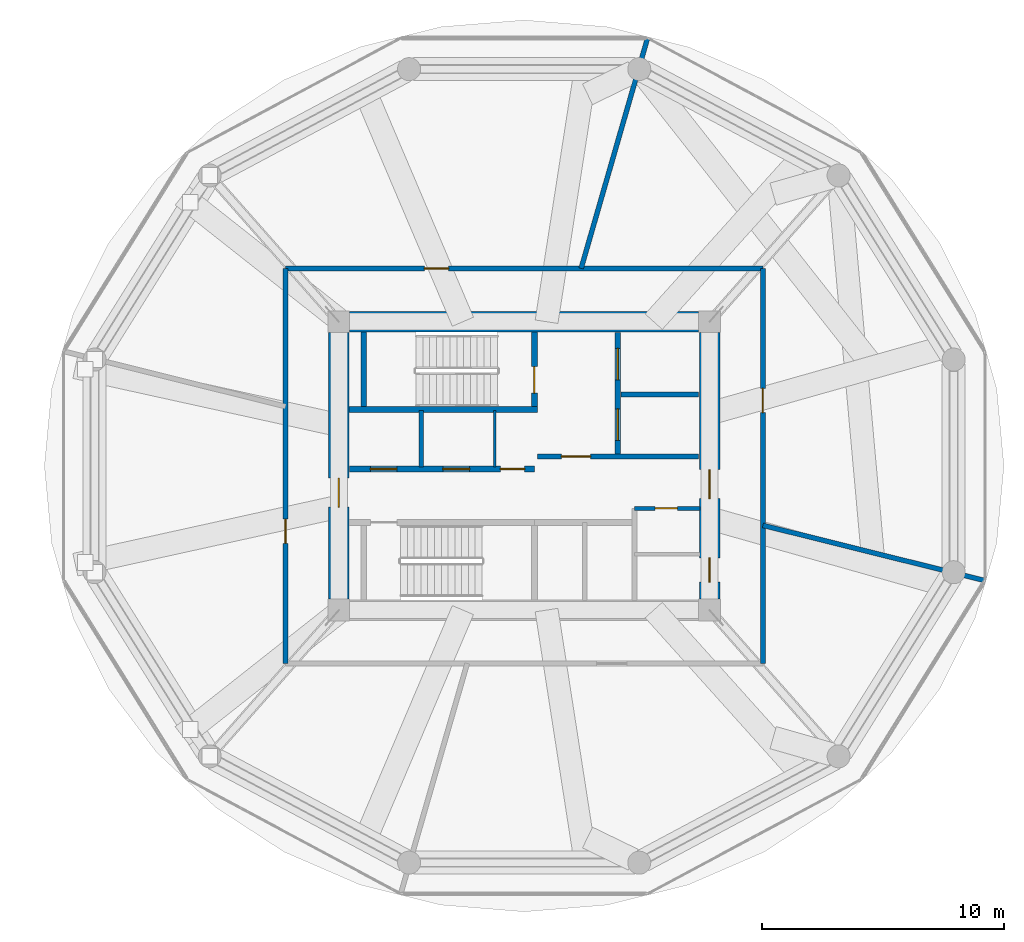
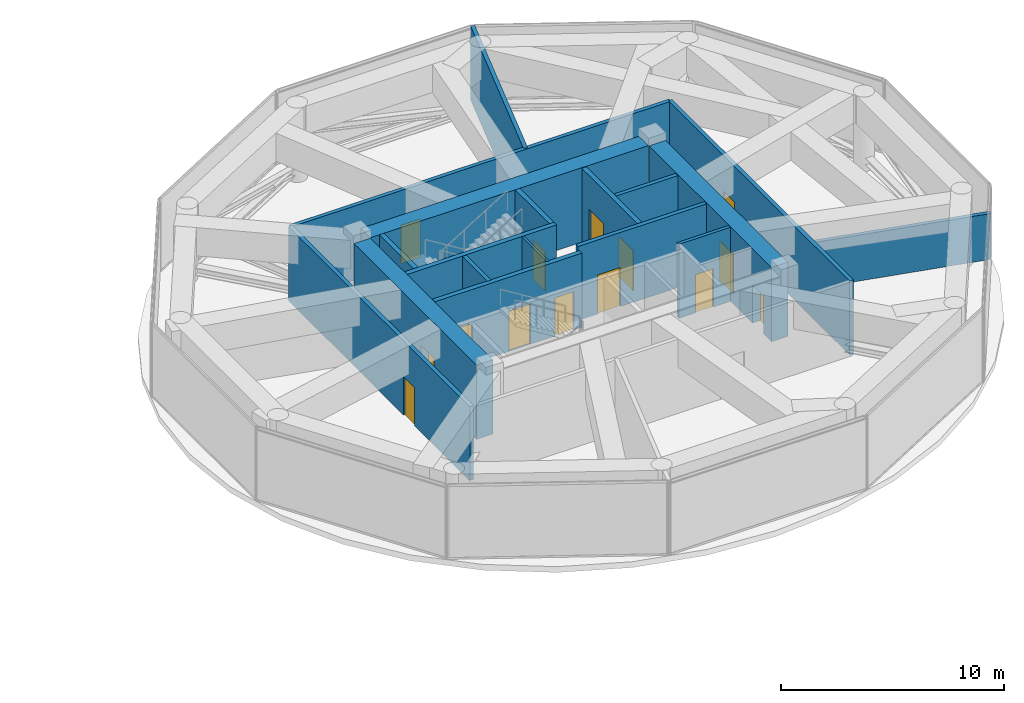
# One storey, part 18 of 22: 18 walls, 14 doors, 14 openings.
"""IFC4 building model written with IfcOpenShell, lengths in metres."""

from ifc_helpers import new_model, si_unit, direction, frame, frame_2d, origin, place, context, subcontext, project, spatial, rectangle, extrude, source, transform, mapped, material, layer, layer_set, type_object, type_shapes, element, fill, save


model = new_model("IFC4")

# Units and contexts
model_context = context("Model", 3, precision=1e-05, world=origin(), true_north=direction((0.0, 1.0)))
body_context = subcontext(model_context, "Body", "Model", "MODEL_VIEW")
ifc_project = project(units=[si_unit("LENGTHUNIT", "METRE"), si_unit("AREAUNIT", "SQUARE_METRE"), si_unit("VOLUMEUNIT", "CUBIC_METRE"), si_unit("PLANEANGLEUNIT", "RADIAN"), si_unit("MASSUNIT", "GRAM", prefix="KILO")], contexts=[model_context])

# Site, building, storey
site_placement = place(None, origin())
site = spatial("IfcSite", under=ifc_project, at=site_placement, CompositionType="ELEMENT")
building_placement = place(site_placement, origin())
building = spatial("IfcBuilding", under=site, at=building_placement, Name="Norrkilde Senior Care Towers", CompositionType="ELEMENT")
storey_placement = place(building_placement, frame((0.0, 0.0, 73.449951171875)))
storey = spatial("IfcBuildingStorey", under=building, at=storey_placement, Name="L22", CompositionType="ELEMENT", Elevation=73.449951171875)

# Wall
ifc_material_1 = material(Name="Concrete C60/75", Category="concrete")
ifc_layer_1 = layer(ifc_material_1, 0.85009765625)
ifc_layer_set_1 = layer_set([ifc_layer_1], Name="Concrete C60/75")
wall_type_1 = type_object("IfcWallType", Name="Core Shear Wall Z1 850", PredefinedType="SHEAR", material=ifc_layer_set_1)
shared_shape_1 = source(origin(), body_context, "Body", "SweptSolid", [
    extrude(rectangle(XDim=14.39990234375, YDim=0.85009765625, at=frame_2d((7.199951171875, 0.0))), origin(), (0.0, 0.0, 1.0), 4.080078125),
])
wall_1_placement = place(storey_placement, frame((20.800048828125, 5.949951171875, 0.0), z_axis=(0.0, 0.0, 1.0), x_axis=(1.0, 0.0, 0.0)))
element("IfcWall", 1, at=wall_1_placement, inside=storey, type_object=wall_type_1, Name="L22 Core E North Shear Wall", PredefinedType="SHEAR", context=body_context, shape_type="MappedRepresentation", body=[
    mapped(shared_shape_1, transform((0.0, 0.0, 0.0), x_axis=(1.0, 0.0, 0.0), y_axis=(0.0, 1.0, 0.0), z_axis=(0.0, 0.0, 1.0), scale=1.0)),
])

# Wall, opening, door
shared_shape_2 = source(origin(), body_context, "Body", "SweptSolid", [
    extrude(rectangle(XDim=11.0, YDim=0.85009765625, at=frame_2d((5.5, 0.0))), origin(), (0.0, 0.0, 1.0), 4.080078125),
])
type_shapes(wall_type_1, [shared_shape_1, shared_shape_2])
wall_2_placement = place(storey_placement, frame((20.35009765625, -5.5, 0.0), z_axis=(0.0, 0.0, 1.0), x_axis=(0.0, 1.0, 0.0)))
wall_2 = element("IfcWall", 2, at=wall_2_placement, inside=storey, type_object=wall_type_1, Name="L22 Core E West Shear Wall", PredefinedType="SHEAR", context=body_context, shape_type="MappedRepresentation", body=[
    mapped(shared_shape_2, transform((0.0, 0.0, 0.0), x_axis=(1.0, 0.0, 0.0), y_axis=(0.0, 1.0, 0.0), z_axis=(0.0, 0.0, 1.0), scale=1.0)),
])
opening_1_placement = place(wall_2_placement, frame((3.800048828125, 0.0, 0.0)))
opening_1 = element("IfcOpeningElement", 3, at=opening_1_placement, cuts=wall_2, Name="Opening D-04", PredefinedType="OPENING", context=body_context, shape_type="SweptSolid", body=[
    extrude(rectangle(XDim=1.199951171875, YDim=2.14990234375, at=frame_2d((0.60009765625, 1.074951171875))), frame((0.0, 0.43505859375, 0.0), z_axis=(0.0, -1.0, 0.0), x_axis=(1.0, 0.0, 0.0)), (0.0, 0.0, 1.0), 0.8701171875),
])
ifc_material_2 = material(Name="Galvanised Painted Steel", Category="steel")
door_type_1 = type_object("IfcDoorType", Name="Firefighting Lobby Fire Door 1200x2150", OperationType="NOTDEFINED", PredefinedType="DOOR", material=ifc_material_2)
shared_shape_3 = source(origin(), body_context, "Body", "SweptSolid", [
    extrude(rectangle(XDim=1.199951171875, YDim=2.14990234375, at=frame_2d((0.60009765625, 1.074951171875))), frame((0.0, 0.02490234375, 0.0), z_axis=(0.0, -1.0, 0.0), x_axis=(1.0, 0.0, 0.0)), (0.0, 0.0, 1.0), 0.050048828125),
])
type_shapes(door_type_1, [shared_shape_3])
door_1_placement = place(opening_1_placement, frame((1.199951171875, 0.0, 0.0), z_axis=(0.0, 0.0, 1.0), x_axis=(-1.0, 0.0, 0.0)))
door_1 = element("IfcDoor", 4, at=door_1_placement, inside=storey, type_object=door_type_1, Name="L22 Core E West Portal Door", OperationType="SINGLE_SWING_LEFT", OverallHeight=2.14990234375, OverallWidth=1.199951171875, PredefinedType="DOOR", context=body_context, shape_type="MappedRepresentation", body=[
    mapped(shared_shape_3, transform((0.0, 0.0, 0.0), x_axis=(1.0, 0.0, 0.0), y_axis=(0.0, 1.0, 0.0), z_axis=(0.0, 0.0, 1.0), scale=1.0)),
])
fill(opening_1, door_1)

# Wall, openings, doors
wall_3_placement = place(storey_placement, frame((35.64990234375, 5.5, 0.0), z_axis=(0.0, 0.0, 1.0), x_axis=(0.0, -1.0, 0.0)))
wall_3 = element("IfcWall", 5, at=wall_3_placement, inside=storey, type_object=wall_type_1, Name="L22 Core E East Shear Wall", PredefinedType="SHEAR", context=body_context, shape_type="MappedRepresentation", body=[
    mapped(shared_shape_2, transform((0.0, 0.0, 0.0), x_axis=(1.0, 0.0, 0.0), y_axis=(0.0, 1.0, 0.0), z_axis=(0.0, 0.0, 1.0), scale=1.0)),
])
opening_2_placement = place(wall_3_placement, frame((5.64990234375, 0.0, 0.0)))
opening_2 = element("IfcOpeningElement", 6, at=opening_2_placement, cuts=wall_3, Name="Opening D-04", PredefinedType="OPENING", context=body_context, shape_type="SweptSolid", body=[
    extrude(rectangle(XDim=1.199951171875, YDim=2.14990234375, at=frame_2d((0.60009765625, 1.074951171875))), frame((0.0, 0.43505859375, 0.0), z_axis=(0.0, -1.0, 0.0), x_axis=(1.0, 0.0, 0.0)), (0.0, 0.0, 1.0), 0.8701171875),
])
opening_3_placement = place(wall_3_placement, frame((9.300048828125, 0.0, 0.0)))
opening_3 = element("IfcOpeningElement", 7, at=opening_3_placement, cuts=wall_3, Name="Opening D-10", PredefinedType="OPENING", context=body_context, shape_type="SweptSolid", body=[
    extrude(rectangle(XDim=1.0, YDim=2.10009765625, at=frame_2d((0.5, 1.050048828125))), frame((0.0, 0.43505859375, 0.0), z_axis=(0.0, -1.0, 0.0), x_axis=(1.0, 0.0, 0.0)), (0.0, 0.0, 1.0), 0.8701171875),
])
door_2_placement = place(opening_2_placement, frame((1.199951171875, 0.0, 0.0), z_axis=(0.0, 0.0, 1.0), x_axis=(-1.0, 0.0, 0.0)))
door_2 = element("IfcDoor", 8, at=door_2_placement, inside=storey, type_object=door_type_1, Name="L22 Core E East Portal Door", OperationType="SINGLE_SWING_RIGHT", OverallHeight=2.14990234375, OverallWidth=1.199951171875, PredefinedType="DOOR", context=body_context, shape_type="MappedRepresentation", body=[
    mapped(shared_shape_3, transform((0.0, 0.0, 0.0), x_axis=(1.0, 0.0, 0.0), y_axis=(0.0, 1.0, 0.0), z_axis=(0.0, 0.0, 1.0), scale=1.0)),
])
fill(opening_2, door_2)
door_type_2 = type_object("IfcDoorType", Name="Plant and Riser Rated Door 1000x2100", OperationType="NOTDEFINED", PredefinedType="DOOR", material=ifc_material_2)
shared_shape_4 = source(origin(), body_context, "Body", "SweptSolid", [
    extrude(rectangle(XDim=1.0, YDim=2.10009765625, at=frame_2d((0.5, 1.050048828125))), frame((0.0, 0.02490234375, 0.0), z_axis=(0.0, -1.0, 0.0), x_axis=(1.0, 0.0, 0.0)), (0.0, 0.0, 1.0), 0.050048828125),
])
type_shapes(door_type_2, [shared_shape_4])
door_3_placement = place(opening_3_placement, frame((1.0, 0.0, 0.0), z_axis=(0.0, 0.0, 1.0), x_axis=(-1.0, 0.0, 0.0)))
door_3 = element("IfcDoor", 9, at=door_3_placement, inside=storey, type_object=door_type_2, Name="L22 Ventilation Riser E Door", OperationType="SINGLE_SWING_RIGHT", OverallHeight=2.10009765625, OverallWidth=1.0, PredefinedType="DOOR", context=body_context, shape_type="MappedRepresentation", body=[
    mapped(shared_shape_4, transform((0.0, 0.0, 0.0), x_axis=(1.0, 0.0, 0.0), y_axis=(0.0, 1.0, 0.0), z_axis=(0.0, 0.0, 1.0), scale=1.0)),
])
fill(opening_3, door_3)

# Walls
ifc_material_3 = material(Name="Concrete C45/55", Category="concrete")
ifc_layer_2 = layer(ifc_material_3, 0.239990234375)
ifc_layer_set_2 = layer_set([ifc_layer_2], Name="Concrete C45/55")
wall_type_2 = type_object("IfcWallType", Name="Shaft and Stair Enclosure Wall 240", PredefinedType="PARTITIONING", material=ifc_layer_set_2)
shared_shape_5 = source(origin(), body_context, "Body", "SweptSolid", [
    extrude(rectangle(XDim=7.76513671875, YDim=0.239990234375, at=frame_2d((3.882568359375, 0.0))), origin(), (0.0, 0.0, 1.0), 4.080078125),
])
wall_4_placement = place(storey_placement, frame((20.77490234375, 2.330078125, 0.0), z_axis=(0.0, 0.0, 1.0), x_axis=(1.0, 0.0, 0.0)))
element("IfcWall", 10, at=wall_4_placement, inside=storey, type_object=wall_type_2, Name="WL-INT-L22-E-ST1S", PredefinedType="PARTITIONING", context=body_context, shape_type="MappedRepresentation", body=[
    mapped(shared_shape_5, transform((0.0, 0.0, 0.0), x_axis=(1.0, 0.0, 0.0), y_axis=(0.0, 1.0, 0.0), z_axis=(0.0, 0.0, 1.0), scale=1.0)),
])
shared_shape_6 = source(origin(), body_context, "Body", "SweptSolid", [
    extrude(rectangle(XDim=3.074951171875, YDim=0.239990234375, at=frame_2d((1.53759765625, 0.0))), origin(), (0.0, 0.0, 1.0), 4.080078125),
])
type_shapes(wall_type_2, [shared_shape_5, shared_shape_6])
wall_5_placement = place(storey_placement, frame((21.3798828125, 2.449951171875, 0.0), z_axis=(0.0, 0.0, 1.0), x_axis=(0.0, 1.0, 0.0)))
element("IfcWall", 11, at=wall_5_placement, inside=storey, type_object=wall_type_2, Name="WL-INT-L22-E-ST1W", PredefinedType="PARTITIONING", context=body_context, shape_type="MappedRepresentation", body=[
    mapped(shared_shape_6, transform((0.0, 0.0, 0.0), x_axis=(1.0, 0.0, 0.0), y_axis=(0.0, 1.0, 0.0), z_axis=(0.0, 0.0, 1.0), scale=1.0)),
])

# Wall, opening, door
wall_6_placement = place(storey_placement, frame((28.419921875, 2.449951171875, 0.0), z_axis=(0.0, 0.0, 1.0), x_axis=(0.0, 1.0, 0.0)))
wall_6 = element("IfcWall", 12, at=wall_6_placement, inside=storey, type_object=wall_type_2, Name="WL-INT-L22-E-ST1E", PredefinedType="PARTITIONING", context=body_context, shape_type="MappedRepresentation", body=[
    mapped(shared_shape_6, transform((0.0, 0.0, 0.0), x_axis=(1.0, 0.0, 0.0), y_axis=(0.0, 1.0, 0.0), z_axis=(0.0, 0.0, 1.0), scale=1.0)),
])
opening_4_placement = place(wall_6_placement, frame((0.550048828125, 0.0, 0.0)))
opening_4 = element("IfcOpeningElement", 13, at=opening_4_placement, cuts=wall_6, Name="Opening D-03", PredefinedType="OPENING", context=body_context, shape_type="SweptSolid", body=[
    extrude(rectangle(XDim=1.10009765625, YDim=2.14990234375, at=frame_2d((0.550048828125, 1.074951171875))), frame((0.0, 0.1298828125, 0.0), z_axis=(0.0, -1.0, 0.0), x_axis=(1.0, 0.0, 0.0)), (0.0, 0.0, 1.0), 0.260009765625),
])
door_type_3 = type_object("IfcDoorType", Name="Stairwell Protected Fire Door 1100x2150", OperationType="NOTDEFINED", PredefinedType="DOOR", material=ifc_material_2)
shared_shape_7 = source(origin(), body_context, "Body", "SweptSolid", [
    extrude(rectangle(XDim=1.10009765625, YDim=2.14990234375, at=frame_2d((0.550048828125, 1.074951171875))), frame((0.0, 0.02490234375, 0.0), z_axis=(0.0, -1.0, 0.0), x_axis=(1.0, 0.0, 0.0)), (0.0, 0.0, 1.0), 0.050048828125),
])
type_shapes(door_type_3, [shared_shape_7])
door_4_placement = place(opening_4_placement, origin())
door_4 = element("IfcDoor", 14, at=door_4_placement, inside=storey, type_object=door_type_3, Name="L22 Stair E1 Fire Door", OperationType="SINGLE_SWING_LEFT", OverallHeight=2.14990234375, OverallWidth=1.10009765625, PredefinedType="DOOR", context=body_context, shape_type="MappedRepresentation", body=[
    mapped(shared_shape_7, transform((0.0, 0.0, 0.0), x_axis=(1.0, 0.0, 0.0), y_axis=(0.0, 1.0, 0.0), z_axis=(0.0, 0.0, 1.0), scale=1.0)),
])
fill(opening_4, door_4)

# Wall, openings, doors
ifc_layer_3 = layer(ifc_material_3, 0.239990234375)
ifc_layer_set_3 = layer_set([ifc_layer_3], Name="Concrete C45/55")
wall_type_3 = type_object("IfcWallType", Name="Lift and Plant Rated Enclosure Partition 240", PredefinedType="PARTITIONING", material=ifc_layer_set_3)
shared_shape_8 = source(origin(), body_context, "Body", "SweptSolid", [
    extrude(rectangle(XDim=5.0, YDim=0.239990234375, at=frame_2d((2.5, 0.0))), origin(), (0.0, 0.0, 1.0), 4.06494140625),
])
wall_7_placement = place(storey_placement, frame((31.860107421875, 0.5, 0.0), z_axis=(0.0, 0.0, 1.0), x_axis=(0.0, 1.0, 0.0)))
wall_7 = element("IfcWall", 15, at=wall_7_placement, inside=storey, type_object=wall_type_3, Name="WL-INT-L22-E-FFLE", PredefinedType="PARTITIONING", context=body_context, shape_type="MappedRepresentation", body=[
    mapped(shared_shape_8, transform((0.0, 0.0, 0.0), x_axis=(1.0, 0.0, 0.0), y_axis=(0.0, 1.0, 0.0), z_axis=(0.0, 0.0, 1.0), scale=1.0)),
])
opening_5_placement = place(wall_7_placement, frame((3.050048828125, 0.0, 0.0)))
opening_5 = element("IfcOpeningElement", 16, at=opening_5_placement, cuts=wall_7, Name="Opening LD-02", PredefinedType="OPENING", context=body_context, shape_type="SweptSolid", body=[
    extrude(rectangle(XDim=1.300048828125, YDim=2.199951171875, at=frame_2d((0.64990234375, 1.10009765625))), frame((0.0, 0.1298828125, 0.0), z_axis=(0.0, -1.0, 0.0), x_axis=(1.0, 0.0, 0.0)), (0.0, 0.0, 1.0), 0.260009765625),
])
opening_6_placement = place(wall_7_placement, frame((0.550048828125, 0.0, 0.0)))
opening_6 = element("IfcOpeningElement", 17, at=opening_6_placement, cuts=wall_7, Name="Opening LD-02", PredefinedType="OPENING", context=body_context, shape_type="SweptSolid", body=[
    extrude(rectangle(XDim=1.300048828125, YDim=2.199951171875, at=frame_2d((0.64990234375, 1.10009765625))), frame((0.0, 0.1298828125, 0.0), z_axis=(0.0, -1.0, 0.0), x_axis=(1.0, 0.0, 0.0)), (0.0, 0.0, 1.0), 0.260009765625),
])
ifc_material_4 = material(Name="Stainless Steel", Category="steel")
door_type_4 = type_object("IfcDoorType", Name="Stretcher and FFL Landing Sliding Door 1300x2200", OperationType="NOTDEFINED", PredefinedType="DOOR", material=ifc_material_4)
shared_shape_9 = source(origin(), body_context, "Body", "SweptSolid", [
    extrude(rectangle(XDim=1.300048828125, YDim=2.199951171875, at=frame_2d((0.64990234375, 1.10009765625))), frame((0.0, 0.02490234375, 0.0), z_axis=(0.0, -1.0, 0.0), x_axis=(1.0, 0.0, 0.0)), (0.0, 0.0, 1.0), 0.050048828125),
])
type_shapes(door_type_4, [shared_shape_9])
door_5_placement = place(opening_5_placement, origin())
door_5 = element("IfcDoor", 18, at=door_5_placement, inside=storey, type_object=door_type_4, Name="L22 Firefighting Lift E1 Landing Door", OperationType="SLIDING_TO_LEFT", OverallHeight=2.199951171875, OverallWidth=1.300048828125, PredefinedType="DOOR", context=body_context, shape_type="MappedRepresentation", body=[
    mapped(shared_shape_9, transform((0.0, 0.0, 0.0), x_axis=(1.0, 0.0, 0.0), y_axis=(0.0, 1.0, 0.0), z_axis=(0.0, 0.0, 1.0), scale=1.0)),
])
fill(opening_5, door_5)
door_6_placement = place(opening_6_placement, origin())
door_6 = element("IfcDoor", 19, at=door_6_placement, inside=storey, type_object=door_type_4, Name="L22 Stretcher Lift E1 Landing Door", OperationType="SLIDING_TO_RIGHT", OverallHeight=2.199951171875, OverallWidth=1.300048828125, PredefinedType="DOOR", context=body_context, shape_type="MappedRepresentation", body=[
    mapped(shared_shape_9, transform((0.0, 0.0, 0.0), x_axis=(1.0, 0.0, 0.0), y_axis=(0.0, 1.0, 0.0), z_axis=(0.0, 0.0, 1.0), scale=1.0)),
])
fill(opening_6, door_6)

# Wall
ifc_layer_4 = layer(ifc_material_3, 0.199951171875)
ifc_layer_set_4 = layer_set([ifc_layer_4], Name="Concrete C45/55")
wall_type_4 = type_object("IfcWallType", Name="Shaft Division and Plant Partition 200", PredefinedType="PARTITIONING", material=ifc_layer_set_4)
shared_shape_10 = source(origin(), body_context, "Body", "SweptSolid", [
    extrude(rectangle(XDim=3.199951171875, YDim=0.199951171875, at=frame_2d((1.60009765625, 0.0))), origin(), (0.0, 0.0, 1.0), 4.06494140625),
])
wall_8_placement = place(storey_placement, frame((32.0, 2.949951171875, 0.0), z_axis=(0.0, 0.0, 1.0), x_axis=(1.0, 0.0, 0.0)))
element("IfcWall", 20, at=wall_8_placement, inside=storey, type_object=wall_type_4, Name="WL-INT-L22-E-FFLDIV", PredefinedType="PARTITIONING", context=body_context, shape_type="MappedRepresentation", body=[
    mapped(shared_shape_10, transform((0.0, 0.0, 0.0), x_axis=(1.0, 0.0, 0.0), y_axis=(0.0, 1.0, 0.0), z_axis=(0.0, 0.0, 1.0), scale=1.0)),
])

# Wall, opening, door
ifc_layer_5 = layer(ifc_material_3, 0.2099609375)
ifc_layer_set_5 = layer_set([ifc_layer_5], Name="Concrete C45/55")
wall_type_5 = type_object("IfcWallType", Name="Firefighting Lobby Wall 210", PredefinedType="PARTITIONING", material=ifc_layer_set_5)
shared_shape_11 = source(origin(), body_context, "Body", "SweptSolid", [
    extrude(rectangle(XDim=6.659912109375, YDim=0.2099609375, at=frame_2d((3.330078125, 0.0))), origin(), (0.0, 0.0, 1.0), 4.06494140625),
])
type_shapes(wall_type_5, [shared_shape_11])
wall_9_placement = place(storey_placement, frame((28.5400390625, 0.389892578125, 0.0), z_axis=(0.0, 0.0, 1.0), x_axis=(1.0, 0.0, 0.0)))
wall_9 = element("IfcWall", 21, at=wall_9_placement, inside=storey, type_object=wall_type_5, Name="WL-INT-L22-E-FFLS", PredefinedType="PARTITIONING", context=body_context, shape_type="MappedRepresentation", body=[
    mapped(shared_shape_11, transform((0.0, 0.0, 0.0), x_axis=(1.0, 0.0, 0.0), y_axis=(0.0, 1.0, 0.0), z_axis=(0.0, 0.0, 1.0), scale=1.0)),
])
opening_7_placement = place(wall_9_placement, frame((1.0, 0.0, 0.0)))
opening_7 = element("IfcOpeningElement", 22, at=opening_7_placement, cuts=wall_9, Name="Opening D-04", PredefinedType="OPENING", context=body_context, shape_type="SweptSolid", body=[
    extrude(rectangle(XDim=1.199951171875, YDim=2.14990234375, at=frame_2d((0.60009765625, 1.074951171875))), frame((0.0, 0.114990234375, 0.0), z_axis=(0.0, -1.0, 0.0), x_axis=(1.0, 0.0, 0.0)), (0.0, 0.0, 1.0), 0.22998046875),
])
door_7_placement = place(opening_7_placement, frame((1.199951171875, 0.0, 0.0), z_axis=(0.0, 0.0, 1.0), x_axis=(-1.0, 0.0, 0.0)))
door_7 = element("IfcDoor", 23, at=door_7_placement, inside=storey, type_object=door_type_1, Name="L22 Firefighting Lobby E Door", OperationType="SINGLE_SWING_LEFT", OverallHeight=2.14990234375, OverallWidth=1.199951171875, PredefinedType="DOOR", context=body_context, shape_type="MappedRepresentation", body=[
    mapped(shared_shape_3, transform((0.0, 0.0, 0.0), x_axis=(1.0, 0.0, 0.0), y_axis=(0.0, 1.0, 0.0), z_axis=(0.0, 0.0, 1.0), scale=1.0)),
])
fill(opening_7, door_7)

# Wall, openings, doors
shared_shape_12 = source(origin(), body_context, "Body", "SweptSolid", [
    extrude(rectangle(XDim=7.619873046875, YDim=0.239990234375, at=frame_2d((3.81005859375, 0.0))), origin(), (0.0, 0.0, 1.0), 4.06494140625),
])
type_shapes(wall_type_3, [shared_shape_8, shared_shape_12])
wall_10_placement = place(storey_placement, frame((20.800048828125, -0.1298828125, 0.0), z_axis=(0.0, 0.0, 1.0), x_axis=(1.0, 0.0, 0.0)))
wall_10 = element("IfcWall", 24, at=wall_10_placement, inside=storey, type_object=wall_type_3, Name="WL-INT-L22-E-PKAS", PredefinedType="PARTITIONING", context=body_context, shape_type="MappedRepresentation", body=[
    mapped(shared_shape_12, transform((0.0, 0.0, 0.0), x_axis=(1.0, 0.0, 0.0), y_axis=(0.0, 1.0, 0.0), z_axis=(0.0, 0.0, 1.0), scale=1.0)),
])
opening_8_placement = place(wall_10_placement, frame((6.219970703125, 0.0, 0.0)))
opening_8 = element("IfcOpeningElement", 25, at=opening_8_placement, cuts=wall_10, Name="Opening D-10", PredefinedType="OPENING", context=body_context, shape_type="SweptSolid", body=[
    extrude(rectangle(XDim=1.0, YDim=2.10009765625, at=frame_2d((0.5, 1.050048828125))), frame((0.0, 0.1298828125, 0.0), z_axis=(0.0, -1.0, 0.0), x_axis=(1.0, 0.0, 0.0)), (0.0, 0.0, 1.0), 0.260009765625),
])
opening_9_placement = place(wall_10_placement, frame((0.85009765625, 0.0, 0.0)))
opening_9 = element("IfcOpeningElement", 26, at=opening_9_placement, cuts=wall_10, Name="Opening LD-01", PredefinedType="OPENING", context=body_context, shape_type="SweptSolid", body=[
    extrude(rectangle(XDim=1.10009765625, YDim=2.199951171875, at=frame_2d((0.550048828125, 1.10009765625))), frame((0.0, 0.1298828125, 0.0), z_axis=(0.0, -1.0, 0.0), x_axis=(1.0, 0.0, 0.0)), (0.0, 0.0, 1.0), 0.260009765625),
])
opening_10_placement = place(wall_10_placement, frame((3.85009765625, 0.0, 0.0)))
opening_10 = element("IfcOpeningElement", 27, at=opening_10_placement, cuts=wall_10, Name="Opening LD-01", PredefinedType="OPENING", context=body_context, shape_type="SweptSolid", body=[
    extrude(rectangle(XDim=1.10009765625, YDim=2.199951171875, at=frame_2d((0.550048828125, 1.10009765625))), frame((0.0, 0.1298828125, 0.0), z_axis=(0.0, -1.0, 0.0), x_axis=(1.0, 0.0, 0.0)), (0.0, 0.0, 1.0), 0.260009765625),
])
door_8_placement = place(opening_8_placement, frame((1.0, 0.0, 0.0), z_axis=(0.0, 0.0, 1.0), x_axis=(-1.0, 0.0, 0.0)))
door_8 = element("IfcDoor", 28, at=door_8_placement, inside=storey, type_object=door_type_2, Name="L22 Electrical Riser E Door", OperationType="SINGLE_SWING_LEFT", OverallHeight=2.10009765625, OverallWidth=1.0, PredefinedType="DOOR", context=body_context, shape_type="MappedRepresentation", body=[
    mapped(shared_shape_4, transform((0.0, 0.0, 0.0), x_axis=(1.0, 0.0, 0.0), y_axis=(0.0, 1.0, 0.0), z_axis=(0.0, 0.0, 1.0), scale=1.0)),
])
fill(opening_8, door_8)
door_type_5 = type_object("IfcDoorType", Name="Lift Landing Sliding Door 1100x2200", OperationType="NOTDEFINED", PredefinedType="DOOR", material=ifc_material_4)
shared_shape_13 = source(origin(), body_context, "Body", "SweptSolid", [
    extrude(rectangle(XDim=1.10009765625, YDim=2.199951171875, at=frame_2d((0.550048828125, 1.10009765625))), frame((0.0, 0.02490234375, 0.0), z_axis=(0.0, -1.0, 0.0), x_axis=(1.0, 0.0, 0.0)), (0.0, 0.0, 1.0), 0.050048828125),
])
type_shapes(door_type_5, [shared_shape_13])
door_9_placement = place(opening_9_placement, origin())
door_9 = element("IfcDoor", 29, at=door_9_placement, inside=storey, type_object=door_type_5, Name="L22 Passenger Lift E1 Landing Door", OperationType="SLIDING_TO_LEFT", OverallHeight=2.199951171875, OverallWidth=1.10009765625, PredefinedType="DOOR", context=body_context, shape_type="MappedRepresentation", body=[
    mapped(shared_shape_13, transform((0.0, 0.0, 0.0), x_axis=(1.0, 0.0, 0.0), y_axis=(0.0, 1.0, 0.0), z_axis=(0.0, 0.0, 1.0), scale=1.0)),
])
fill(opening_9, door_9)
door_10_placement = place(opening_10_placement, origin())
door_10 = element("IfcDoor", 30, at=door_10_placement, inside=storey, type_object=door_type_5, Name="L22 Passenger Lift E2 Landing Door", OperationType="SLIDING_TO_RIGHT", OverallHeight=2.199951171875, OverallWidth=1.10009765625, PredefinedType="DOOR", context=body_context, shape_type="MappedRepresentation", body=[
    mapped(shared_shape_13, transform((0.0, 0.0, 0.0), x_axis=(1.0, 0.0, 0.0), y_axis=(0.0, 1.0, 0.0), z_axis=(0.0, 0.0, 1.0), scale=1.0)),
])
fill(opening_10, door_10)

# Walls
ifc_material_5 = material(Name="Gypsum Acoustic Board")
ifc_layer_6 = layer(ifc_material_5, 0.114990234375)
ifc_layer_set_6 = layer_set([ifc_layer_6], Name="Gypsum Acoustic Board")
wall_type_6 = type_object("IfcWallType", Name="Internal Room Partition 115", PredefinedType="PARTITIONING", material=ifc_layer_set_6)
shared_shape_14 = source(origin(), body_context, "Body", "SweptSolid", [
    extrude(rectangle(XDim=2.330078125, YDim=0.114990234375, at=frame_2d((1.1650390625, 0.0))), origin(), (0.0, 0.0, 1.0), 4.06494140625),
])
type_shapes(wall_type_6, [shared_shape_14])
wall_11_placement = place(storey_placement, frame((26.7900390625, -0.050048828125, 0.0), z_axis=(0.0, 0.0, 1.0), x_axis=(0.0, 1.0, 0.0)))
element("IfcWall", 31, at=wall_11_placement, inside=storey, type_object=wall_type_6, Name="WL-INT-L22-E-RISW", PredefinedType="PARTITIONING", context=body_context, shape_type="MappedRepresentation", body=[
    mapped(shared_shape_14, transform((0.0, 0.0, 0.0), x_axis=(1.0, 0.0, 0.0), y_axis=(0.0, 1.0, 0.0), z_axis=(0.0, 0.0, 1.0), scale=1.0)),
])
shared_shape_15 = source(origin(), body_context, "Body", "SweptSolid", [
    extrude(rectangle(XDim=2.330078125, YDim=0.199951171875, at=frame_2d((1.1650390625, 0.0))), origin(), (0.0, 0.0, 1.0), 4.06494140625),
])
wall_12_placement = place(storey_placement, frame((23.75, -0.050048828125, 0.0), z_axis=(0.0, 0.0, 1.0), x_axis=(0.0, 1.0, 0.0)))
element("IfcWall", 32, at=wall_12_placement, inside=storey, type_object=wall_type_4, Name="WL-INT-L22-E-PL12", PredefinedType="PARTITIONING", context=body_context, shape_type="MappedRepresentation", body=[
    mapped(shared_shape_15, transform((0.0, 0.0, 0.0), x_axis=(1.0, 0.0, 0.0), y_axis=(0.0, 1.0, 0.0), z_axis=(0.0, 0.0, 1.0), scale=1.0)),
])

# Wall, opening, door
ifc_layer_7 = layer(ifc_material_5, 0.1650390625)
ifc_layer_set_7 = layer_set([ifc_layer_7], Name="Gypsum Acoustic Board")
wall_type_7 = type_object("IfcWallType", Name="Corridor Rated Partition 165", PredefinedType="PARTITIONING", material=ifc_layer_set_7)
shared_shape_16 = source(origin(), body_context, "Body", "SweptSolid", [
    extrude(rectangle(XDim=2.699951171875, YDim=0.1650390625, at=frame_2d((1.35009765625, 0.0))), origin(), (0.0, 0.0, 1.0), 4.06494140625),
])
type_shapes(wall_type_7, [shared_shape_16])
wall_13_placement = place(storey_placement, frame((32.550048828125, -1.75, 0.0), z_axis=(0.0, 0.0, 1.0), x_axis=(1.0, 0.0, 0.0)))
wall_13 = element("IfcWall", 33, at=wall_13_placement, inside=storey, type_object=wall_type_7, Name="WL-INT-L22-E-CSN", PredefinedType="PARTITIONING", context=body_context, shape_type="MappedRepresentation", body=[
    mapped(shared_shape_16, transform((0.0, 0.0, 0.0), x_axis=(1.0, 0.0, 0.0), y_axis=(0.0, 1.0, 0.0), z_axis=(0.0, 0.0, 1.0), scale=1.0)),
])
opening_11_placement = place(wall_13_placement, frame((0.85009765625, 0.0, 0.0)))
opening_11 = element("IfcOpeningElement", 34, at=opening_11_placement, cuts=wall_13, Name="Opening D-12", PredefinedType="OPENING", context=body_context, shape_type="SweptSolid", body=[
    extrude(rectangle(XDim=0.925048828125, YDim=2.10009765625, at=frame_2d((0.46240234375, 1.050048828125))), frame((0.0, 0.092529296875, 0.0), z_axis=(0.0, -1.0, 0.0), x_axis=(1.0, 0.0, 0.0)), (0.0, 0.0, 1.0), 0.18505859375),
])
door_type_6 = type_object("IfcDoorType", Name="Core Wet Room Rated Door 925x2100", OperationType="NOTDEFINED", PredefinedType="DOOR", material=ifc_material_2)
shared_shape_17 = source(origin(), body_context, "Body", "SweptSolid", [
    extrude(rectangle(XDim=0.925048828125, YDim=2.10009765625, at=frame_2d((0.46240234375, 1.050048828125))), frame((0.0, 0.02490234375, 0.0), z_axis=(0.0, -1.0, 0.0), x_axis=(1.0, 0.0, 0.0)), (0.0, 0.0, 1.0), 0.050048828125),
])
type_shapes(door_type_6, [shared_shape_17])
door_11_placement = place(opening_11_placement, origin())
door_11 = element("IfcDoor", 35, at=door_11_placement, inside=storey, type_object=door_type_6, Name="L22 Staff WC E Door", OperationType="SINGLE_SWING_LEFT", OverallHeight=2.10009765625, OverallWidth=0.925048828125, PredefinedType="DOOR", context=body_context, shape_type="MappedRepresentation", body=[
    mapped(shared_shape_17, transform((0.0, 0.0, 0.0), x_axis=(1.0, 0.0, 0.0), y_axis=(0.0, 1.0, 0.0), z_axis=(0.0, 0.0, 1.0), scale=1.0)),
])
fill(opening_11, door_11)

shared_shape_18 = source(origin(), body_context, "Body", "SweptSolid", [
    extrude(rectangle(XDim=19.7001953125, YDim=0.199951171875, at=frame_2d((9.85009765625, 0.0))), origin(), (0.0, 0.0, 1.0), 4.06494140625),
])
wall_14_placement = place(storey_placement, frame((18.14990234375, 8.14990234375, 0.0), z_axis=(0.0, 0.0, 1.0), x_axis=(1.0, 0.0, 0.0)))
wall_14 = element("IfcWall", 36, at=wall_14_placement, inside=storey, type_object=wall_type_4, Name="WL-INT-L22-E-PCR-N", PredefinedType="PARTITIONING", context=body_context, shape_type="MappedRepresentation", body=[
    mapped(shared_shape_18, transform((0.0, 0.0, 0.0), x_axis=(1.0, 0.0, 0.0), y_axis=(0.0, 1.0, 0.0), z_axis=(0.0, 0.0, 1.0), scale=1.0)),
])
opening_12_placement = place(wall_14_placement, frame((5.73681640625, 0.0, 0.0)))
opening_12 = element("IfcOpeningElement", 37, at=opening_12_placement, cuts=wall_14, Name="Opening D-10", PredefinedType="OPENING", context=body_context, shape_type="SweptSolid", body=[
    extrude(rectangle(XDim=1.0, YDim=2.10009765625, at=frame_2d((0.5, 1.050048828125))), frame((0.0, 0.10986328125, 0.0), z_axis=(0.0, -1.0, 0.0), x_axis=(1.0, 0.0, 0.0)), (0.0, 0.0, 1.0), 0.219970703125),
])
door_12_placement = place(opening_12_placement, frame((1.0, 0.0, 0.0), z_axis=(0.0, 0.0, 1.0), x_axis=(-1.0, 0.0, 0.0)))
door_12 = element("IfcDoor", 38, at=door_12_placement, inside=storey, type_object=door_type_2, Name="L22 Dedicated Outdoor Air Handling Unit Room Door", OperationType="SINGLE_SWING_LEFT", OverallHeight=2.10009765625, OverallWidth=1.0, PredefinedType="DOOR", context=body_context, shape_type="MappedRepresentation", body=[
    mapped(shared_shape_4, transform((0.0, 0.0, 0.0), x_axis=(1.0, 0.0, 0.0), y_axis=(0.0, 1.0, 0.0), z_axis=(0.0, 0.0, 1.0), scale=1.0)),
])
fill(opening_12, door_12)

shared_shape_19 = source(origin(), body_context, "Body", "SweptSolid", [
    extrude(rectangle(XDim=16.2998046875, YDim=0.199951171875, at=frame_2d((8.14990234375, 0.0))), origin(), (0.0, 0.0, 1.0), 4.06494140625),
])
wall_15_placement = place(storey_placement, frame((18.14990234375, -8.14990234375, 0.0), z_axis=(0.0, 0.0, 1.0), x_axis=(0.0, 1.0, 0.0)))
wall_15 = element("IfcWall", 39, at=wall_15_placement, inside=storey, type_object=wall_type_4, Name="WL-INT-L22-E-PCR-W", PredefinedType="PARTITIONING", context=body_context, shape_type="MappedRepresentation", body=[
    mapped(shared_shape_19, transform((0.0, 0.0, 0.0), x_axis=(1.0, 0.0, 0.0), y_axis=(0.0, 1.0, 0.0), z_axis=(0.0, 0.0, 1.0), scale=1.0)),
])
opening_13_placement = place(wall_15_placement, frame((4.953125, 0.0, 0.0)))
opening_13 = element("IfcOpeningElement", 40, at=opening_13_placement, cuts=wall_15, Name="Opening D-10", PredefinedType="OPENING", context=body_context, shape_type="SweptSolid", body=[
    extrude(rectangle(XDim=1.0, YDim=2.10009765625, at=frame_2d((0.5, 1.050048828125))), frame((0.0, 0.10986328125, 0.0), z_axis=(0.0, -1.0, 0.0), x_axis=(1.0, 0.0, 0.0)), (0.0, 0.0, 1.0), 0.219970703125),
])
door_13_placement = place(opening_13_placement, frame((1.0, 0.0, 0.0), z_axis=(0.0, 0.0, 1.0), x_axis=(-1.0, 0.0, 0.0)))
door_13 = element("IfcDoor", 41, at=door_13_placement, inside=storey, type_object=door_type_2, Name="L22 HV Switchroom and Fire Booster Pump Plant Door", OperationType="SINGLE_SWING_RIGHT", OverallHeight=2.10009765625, OverallWidth=1.0, PredefinedType="DOOR", context=body_context, shape_type="MappedRepresentation", body=[
    mapped(shared_shape_4, transform((0.0, 0.0, 0.0), x_axis=(1.0, 0.0, 0.0), y_axis=(0.0, 1.0, 0.0), z_axis=(0.0, 0.0, 1.0), scale=1.0)),
])
fill(opening_13, door_13)

wall_16_placement = place(storey_placement, frame((37.85009765625, 8.14990234375, 0.0), z_axis=(0.0, 0.0, 1.0), x_axis=(0.0, -1.0, 0.0)))
wall_16 = element("IfcWall", 42, at=wall_16_placement, inside=storey, type_object=wall_type_4, Name="WL-INT-L22-E-PCR-E", PredefinedType="PARTITIONING", context=body_context, shape_type="MappedRepresentation", body=[
    mapped(shared_shape_19, transform((0.0, 0.0, 0.0), x_axis=(1.0, 0.0, 0.0), y_axis=(0.0, 1.0, 0.0), z_axis=(0.0, 0.0, 1.0), scale=1.0)),
])
opening_14_placement = place(wall_16_placement, frame((4.953125, 0.0, 0.0)))
opening_14 = element("IfcOpeningElement", 43, at=opening_14_placement, cuts=wall_16, Name="Opening D-10", PredefinedType="OPENING", context=body_context, shape_type="SweptSolid", body=[
    extrude(rectangle(XDim=1.0, YDim=2.10009765625, at=frame_2d((0.5, 1.050048828125))), frame((0.0, 0.10986328125, 0.0), z_axis=(0.0, -1.0, 0.0), x_axis=(1.0, 0.0, 0.0)), (0.0, 0.0, 1.0), 0.219970703125),
])
door_14_placement = place(opening_14_placement, frame((1.0, 0.0, 0.0), z_axis=(0.0, 0.0, 1.0), x_axis=(-1.0, 0.0, 0.0)))
door_14 = element("IfcDoor", 44, at=door_14_placement, inside=storey, type_object=door_type_2, Name="L22 Chiller and Heat-Recovery Cooling Plant Door", OperationType="SINGLE_SWING_RIGHT", OverallHeight=2.10009765625, OverallWidth=1.0, PredefinedType="DOOR", context=body_context, shape_type="MappedRepresentation", body=[
    mapped(shared_shape_4, transform((0.0, 0.0, 0.0), x_axis=(1.0, 0.0, 0.0), y_axis=(0.0, 1.0, 0.0), z_axis=(0.0, 0.0, 1.0), scale=1.0)),
])
fill(opening_14, door_14)

# Walls
shared_shape_20 = source(origin(), body_context, "Body", "SweptSolid", [
    extrude(rectangle(XDim=9.9150390625, YDim=0.199951171875, at=frame_2d((4.95751953125, 0.0))), origin(), (0.0, 0.0, 1.0), 4.06494140625),
])
wall_17_placement = place(storey_placement, frame((30.350830078125, 8.14990234375, 0.0), z_axis=(0.0, 0.0, 1.0), x_axis=(0.277136607861, 0.960830526463, 0.0)))
element("IfcWall", 45, at=wall_17_placement, inside=storey, type_object=wall_type_4, Name="WL-INT-L22-E-PRAD-2-0", PredefinedType="PARTITIONING", context=body_context, shape_type="MappedRepresentation", body=[
    mapped(shared_shape_20, transform((0.0, 0.0, 0.0), x_axis=(1.0, 0.0, 0.0), y_axis=(0.0, 1.0, 0.0), z_axis=(0.0, 0.0, 1.0), scale=1.0)),
])
shared_shape_21 = source(origin(), body_context, "Body", "SweptSolid", [
    extrude(rectangle(XDim=9.458740234375, YDim=0.199951171875, at=frame_2d((4.7294921875, 0.0))), origin(), (0.0, 0.0, 1.0), 2.51513671875),
])
type_shapes(wall_type_4, [shared_shape_10, shared_shape_15, shared_shape_18, shared_shape_19, shared_shape_20, shared_shape_21])
wall_18_placement = place(storey_placement, frame((37.85009765625, -2.45166015625, 0.0), z_axis=(0.0, 0.0, 1.0), x_axis=(0.970390989268, -0.241539495626, 0.0)))
element("IfcWall", 46, at=wall_18_placement, inside=storey, type_object=wall_type_4, Name="WL-INT-L22-E-PRAD-1-0", PredefinedType="PARTITIONING", context=body_context, shape_type="MappedRepresentation", body=[
    mapped(shared_shape_21, transform((0.0, 0.0, 0.0), x_axis=(1.0, 0.0, 0.0), y_axis=(0.0, 1.0, 0.0), z_axis=(0.0, 0.0, 1.0), scale=1.0)),
])

save(model, "model.ifc")
